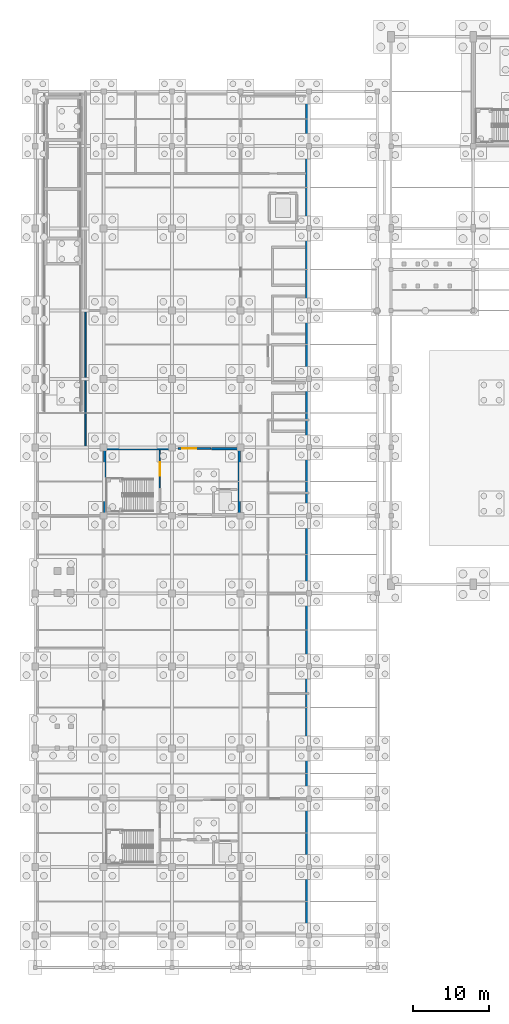
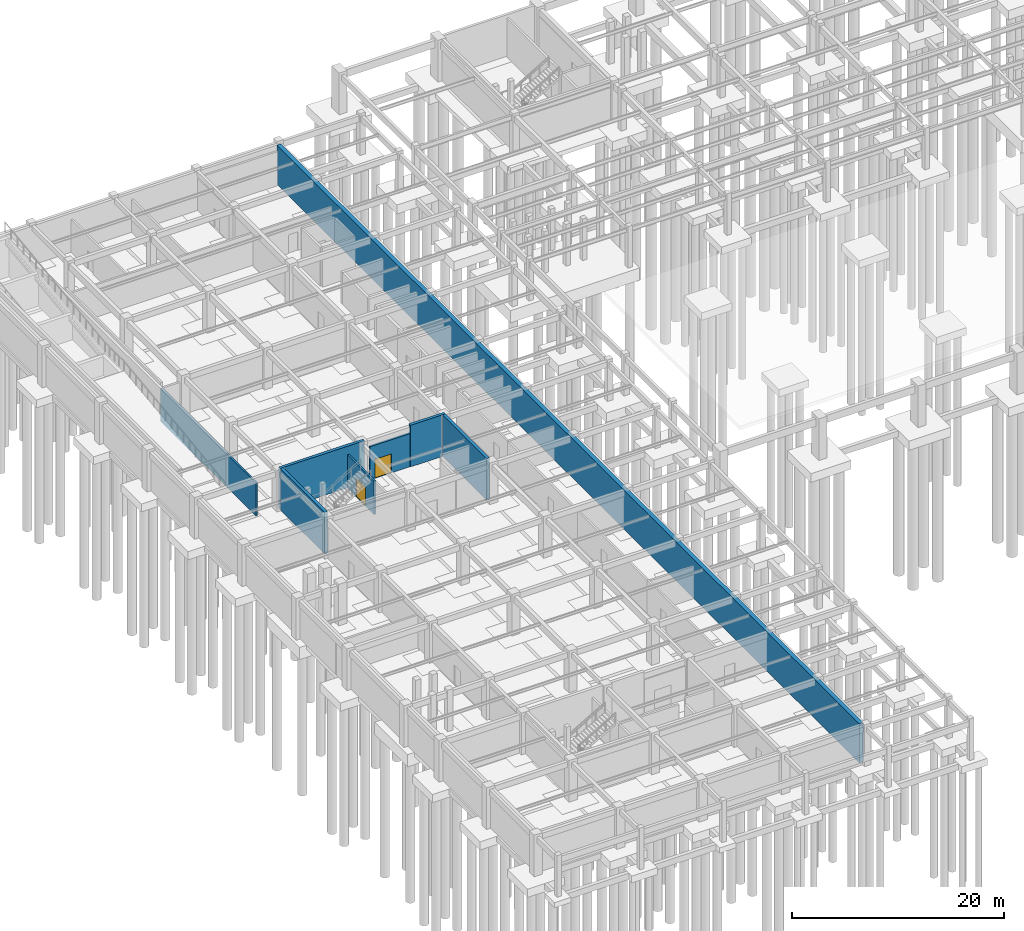
# One storey, part 25 of 33: 8 walls, 2 doors, 2 openings.
"""IFC4 building model written with IfcOpenShell, lengths in metres."""

from ifc_helpers import new_model, si_unit, direction, frame, frame_2d, origin, place, context, subcontext, project, spatial, rectangle, extrude, material, layer, layer_set, type_object, element, fill, save


model = new_model("IFC4")

# Units and contexts
model_context = context("Model", 3, precision=1e-05, world=origin(), true_north=direction((0.0, 1.0)))
body_context = subcontext(model_context, "Body", "Model", "MODEL_VIEW")
ifc_project = project(units=[si_unit("LENGTHUNIT", "METRE"), si_unit("AREAUNIT", "SQUARE_METRE"), si_unit("VOLUMEUNIT", "CUBIC_METRE"), si_unit("PLANEANGLEUNIT", "RADIAN"), si_unit("MASSUNIT", "GRAM", prefix="KILO")], contexts=[model_context])

# Site, building, storey
site_placement = place(None, origin())
site = spatial("IfcSite", under=ifc_project, at=site_placement, CompositionType="ELEMENT")
building_placement = place(site_placement, origin())
building = spatial("IfcBuilding", under=site, at=building_placement, Name="Suirenkawa Promenade Aquatics Centre", CompositionType="ELEMENT")
storey_placement = place(building_placement, frame((0.0, 0.0, -4.800048828125)))
storey = spatial("IfcBuildingStorey", under=building, at=storey_placement, Name="B1", CompositionType="ELEMENT", Elevation=-4.800048828125)

# Walls
ifc_material_1 = material(Name="Autoclaved aerated concrete blockwork Grade 1", Category="masonry")
ifc_layer_1 = layer(ifc_material_1, 0.199951171875, Name="Autoclaved aerated concrete blockwork Grade 1", Category="masonry")
ifc_layer_set_1 = layer_set([ifc_layer_1], Name="Autoclaved aerated concrete blockwork Grade 1")
wall_type_1 = type_object("IfcWallType", Name="WT-COMP-200", PredefinedType="PARTITIONING", material=ifc_layer_set_1)
wall_1_placement = place(storey_placement, frame((6.60009765625, 68.39990234375, 0.0), z_axis=(0.0, 0.0, 1.0), x_axis=(0.0, 1.0, 0.0)))
element("IfcWall", 1, at=wall_1_placement, inside=storey, type_object=wall_type_1, Name="Interior wall WL-PRT-01 W-7199", PredefinedType="PARTITIONING", context=body_context, shape_type="SweptSolid", body=[
    extrude(rectangle(XDim=18.0, YDim=0.199951171875, at=frame_2d((9.0, 0.0))), origin(), (0.0, 0.0, 1.0), 3.8349609375),
])
ifc_material_2 = material(Name="Concrete M40", Category="concrete")
ifc_layer_2 = layer(ifc_material_2, 0.320068359375, Name="Concrete M40", Category="concrete")
ifc_layer_set_2 = layer_set([ifc_layer_2], Name="Concrete M40")
wall_type_2 = type_object("IfcWallType", Name="WT-CORE-320", PredefinedType="SHEAR", material=ifc_layer_set_2)
wall_2_placement = place(storey_placement, frame((9.0, 68.239990234375, 0.0), z_axis=(0.0, 0.0, 1.0), x_axis=(1.0, 0.0, 0.0)))
element("IfcWall", 2, at=wall_2_placement, inside=storey, type_object=wall_type_2, Name="C2 north core wall WL-CORE-01 W-0076", PredefinedType="SHEAR", context=body_context, shape_type="SweptSolid", body=[
    extrude(rectangle(XDim=9.199951171875, YDim=0.320068359375, at=frame_2d((4.60009765625, 0.0))), origin(), (0.0, 0.0, 1.0), 4.800048828125),
])
wall_3_placement = place(storey_placement, frame((23.199951171875, 68.239990234375, 0.0), z_axis=(0.0, 0.0, 1.0), x_axis=(1.0, 0.0, 0.0)))
element("IfcWall", 3, at=wall_3_placement, inside=storey, type_object=wall_type_2, Name="C2 north shaft wall WL-CORE-01 W-0077", PredefinedType="SHEAR", context=body_context, shape_type="SweptSolid", body=[
    extrude(rectangle(XDim=3.800048828125, YDim=0.320068359375, at=frame_2d((1.89990234375, 0.0))), origin(), (0.0, 0.0, 1.0), 4.800048828125),
])
for number, where, z_axis, x_axis, name in (
    (4, (9.159912109375, 59.719970703125, 0.0), (0.0, 0.0, 1.0), (0.0, 1.0, 0.0), "C2 west core wall WL-CORE-01 W-0078"),
    (5, (26.840087890625, 59.719970703125, 0.0), (0.0, 0.0, 1.0), (0.0, 1.0, 0.0), "C2 east core wall WL-CORE-01 W-0079"),
):
    element("IfcWall", number, at=place(storey_placement, frame(where, z_axis=z_axis, x_axis=x_axis)), inside=storey, type_object=wall_type_2, Name=name, PredefinedType="SHEAR", context=body_context, shape_type="SweptSolid", body=[
        extrude(rectangle(XDim=8.360107421875, YDim=0.320068359375, at=frame_2d((4.18017578125, 0.0))), origin(), (0.0, 0.0, 1.0), 4.800048828125),
    ])

# Wall, opening, door
ifc_material_3 = material(Name="Concrete M35", Category="concrete")
ifc_layer_3 = layer(ifc_material_3, 0.219970703125, Name="Concrete M35", Category="concrete")
ifc_layer_set_3 = layer_set([ifc_layer_3], Name="Concrete M35")
wall_type_3 = type_object("IfcWallType", Name="WT-LOBBY-220", PredefinedType="PARTITIONING", material=ifc_layer_set_3)
wall_4_placement = place(storey_placement, frame((16.39990234375, 68.050048828125, 0.0), z_axis=(0.0, 0.0, 1.0), x_axis=(0.0, -1.0, 0.0)))
wall_4 = element("IfcWall", 6, at=wall_4_placement, inside=storey, type_object=wall_type_3, Name="Interior wall WL-LOB-01 W-7036", PredefinedType="PARTITIONING", context=body_context, shape_type="SweptSolid", body=[
    extrude(rectangle(XDim=5.050048828125, YDim=0.219970703125, at=frame_2d((2.52490234375, 0.0))), origin(), (0.0, 0.0, 1.0), 3.8349609375),
])
opening_1_placement = place(wall_4_placement, frame((1.60009765625, 0.0, 0.0)))
opening_1 = element("IfcOpeningElement", 7, at=opening_1_placement, cuts=wall_4, Name="Opening ID-02", PredefinedType="OPENING", context=body_context, shape_type="SweptSolid", body=[
    extrude(rectangle(XDim=1.800048828125, YDim=2.199951171875, at=frame_2d((0.89990234375, 1.10009765625))), frame((0.0, 0.119873046875, 0.0), z_axis=(0.0, -1.0, 0.0), x_axis=(1.0, 0.0, 0.0)), (0.0, 0.0, 1.0), 0.239990234375),
])
ifc_material_4 = material(Name="Steel IS 2062 E350 (Grade 350)", Category="steel")
door_type = type_object("IfcDoorType", Name="DT-FD120-1800x2200", OperationType="DOUBLE_DOOR_SINGLE_SWING", PredefinedType="DOOR", material=ifc_material_4)
door_1_placement = place(opening_1_placement, origin())
door_1 = element("IfcDoor", 8, at=door_1_placement, inside=storey, type_object=door_type, Name="Interior door ID-02 DR-INT-0024", OperationType="DOUBLE_DOOR_SINGLE_SWING", OverallHeight=2.199951171875, OverallWidth=1.800048828125, PredefinedType="DOOR", context=body_context, shape_type="SweptSolid", body=[
    extrude(rectangle(XDim=1.800048828125, YDim=2.199951171875, at=frame_2d((0.89990234375, 1.10009765625))), frame((0.0, 0.02490234375, 0.0), z_axis=(0.0, -1.0, 0.0), x_axis=(1.0, 0.0, 0.0)), (0.0, 0.0, 1.0), 0.050048828125),
])
fill(opening_1, door_1)

wall_5_placement = place(storey_placement, frame((18.800048828125, 68.239990234375, 0.0), z_axis=(0.0, 0.0, 1.0), x_axis=(1.0, 0.0, 0.0)))
wall_5 = element("IfcWall", 9, at=wall_5_placement, inside=storey, type_object=wall_type_3, Name="Interior wall WL-LOB-01 W-7041", PredefinedType="PARTITIONING", context=body_context, shape_type="SweptSolid", body=[
    extrude(rectangle(XDim=4.349853515625, YDim=0.219970703125, at=frame_2d((2.1748046875, 0.0))), origin(), (0.0, 0.0, 1.0), 3.8349609375),
])
opening_2_placement = place(wall_5_placement, frame((0.550048828125, 0.0, 0.0)))
opening_2 = element("IfcOpeningElement", 10, at=opening_2_placement, cuts=wall_5, Name="Opening ID-02", PredefinedType="OPENING", context=body_context, shape_type="SweptSolid", body=[
    extrude(rectangle(XDim=1.800048828125, YDim=2.199951171875, at=frame_2d((0.89990234375, 1.10009765625))), frame((0.0, 0.119873046875, 0.0), z_axis=(0.0, -1.0, 0.0), x_axis=(1.0, 0.0, 0.0)), (0.0, 0.0, 1.0), 0.239990234375),
])
door_2_placement = place(opening_2_placement, origin())
door_2 = element("IfcDoor", 11, at=door_2_placement, inside=storey, type_object=door_type, Name="Interior door ID-02 DR-INT-0027", OperationType="DOUBLE_DOOR_SINGLE_SWING", OverallHeight=2.199951171875, OverallWidth=1.800048828125, PredefinedType="DOOR", context=body_context, shape_type="SweptSolid", body=[
    extrude(rectangle(XDim=1.800048828125, YDim=2.199951171875, at=frame_2d((0.89990234375, 1.10009765625))), frame((0.0, 0.02490234375, 0.0), z_axis=(0.0, -1.0, 0.0), x_axis=(1.0, 0.0, 0.0)), (0.0, 0.0, 1.0), 0.050048828125),
])
fill(opening_2, door_2)

# Wall
ifc_material_5 = material(Name="Waterproof concrete M40", Category="concrete")
ifc_layer_4 = layer(ifc_material_5, 0.449951171875, Name="Waterproof concrete M40", Category="concrete")
ifc_layer_set_4 = layer_set([ifc_layer_4], Name="Waterproof concrete M40")
wall_type_4 = type_object("IfcWallType", Name="WT-RET-450", PredefinedType="USERDEFINED", material=ifc_layer_set_4)
wall_6_placement = place(storey_placement, frame((35.77490234375, 4.64990234375, 0.0), z_axis=(0.0, 0.0, 1.0), x_axis=(0.0, 1.0, 0.0)))
element("IfcWall", 12, at=wall_6_placement, inside=storey, type_object=wall_type_4, Name="Basement retaining wall WL-RET-01 W-0004", ObjectType="RETAININGWALL", PredefinedType="USERDEFINED", context=body_context, shape_type="SweptSolid", body=[
    extrude(rectangle(XDim=110.10009765625, YDim=0.449951171875, at=frame_2d((55.050048828125, 0.0))), origin(), (0.0, 0.0, 1.0), 4.5),
])

save(model, "model.ifc")
